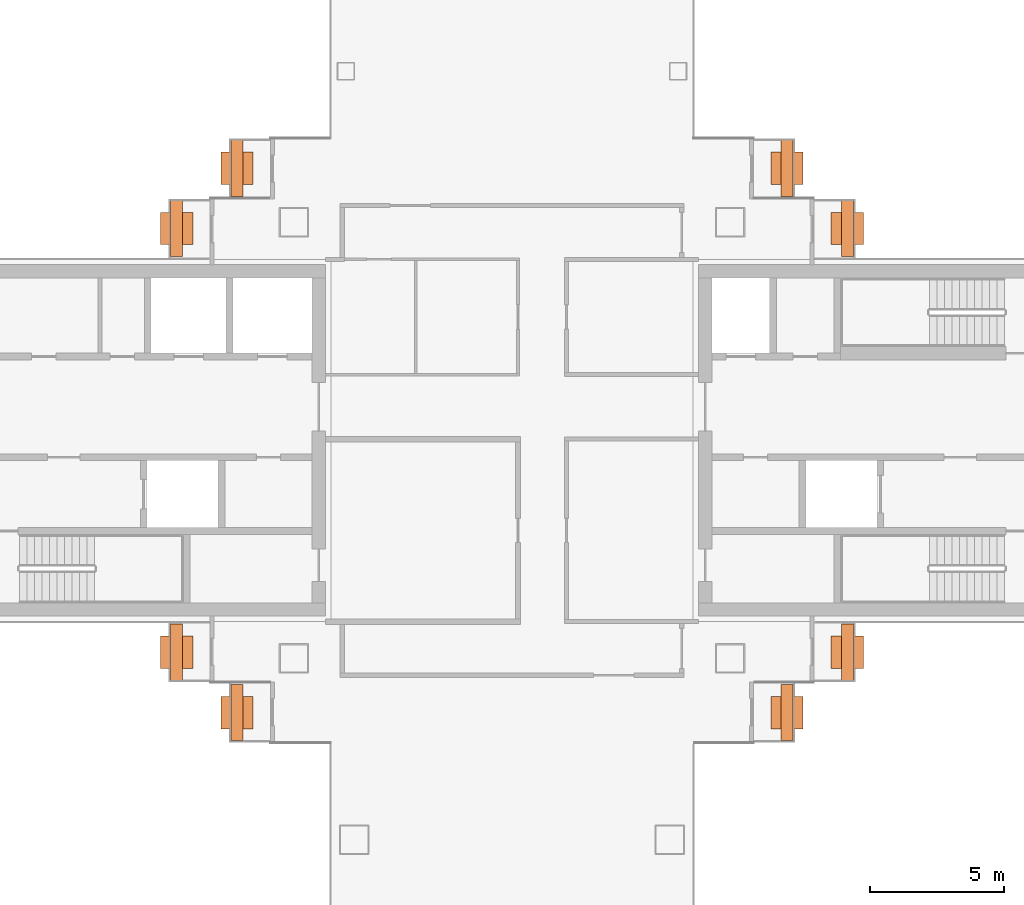
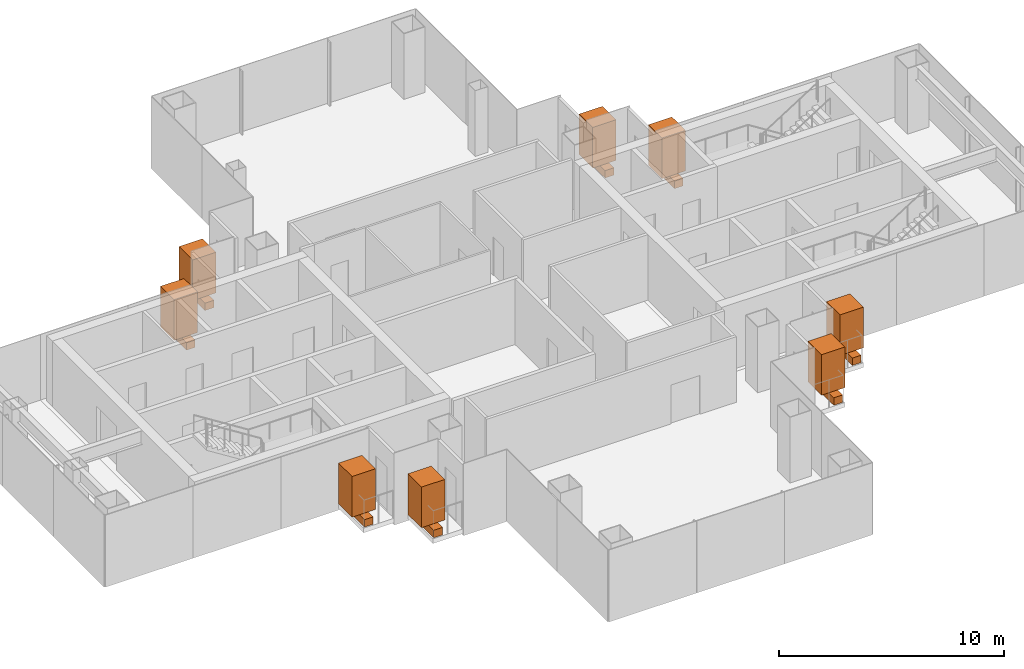
# One storey, part 16 of 16: 8 geographic elements, 8 proxies.
"""IFC4 building model written with IfcOpenShell, lengths in metres."""

from ifc_helpers import new_model, si_unit, direction, frame, origin, origin_2d, place, context, subcontext, project, spatial, rectangle, extrude, material, type_object, element, save


model = new_model("IFC4")

# Units and contexts
model_context = context("Model", 3, precision=1e-05, world=origin(), true_north=direction((0.0, 1.0)))
body_context = subcontext(model_context, "Body", "Model", "MODEL_VIEW")
ifc_project = project(units=[si_unit("LENGTHUNIT", "METRE"), si_unit("AREAUNIT", "SQUARE_METRE"), si_unit("VOLUMEUNIT", "CUBIC_METRE"), si_unit("PLANEANGLEUNIT", "RADIAN"), si_unit("MASSUNIT", "GRAM", prefix="KILO")], contexts=[model_context])

# Site, building, storey
site_placement = place(None, origin())
site = spatial("IfcSite", under=ifc_project, at=site_placement, CompositionType="ELEMENT")
building_placement = place(site_placement, origin())
building = spatial("IfcBuilding", under=site, at=building_placement, Name="Shamsa Quay Exchange Towers", CompositionType="ELEMENT")
storey_placement = place(building_placement, frame((0.0, 0.0, 138.89990234375)))
storey = spatial("IfcBuildingStorey", under=building, at=storey_placement, Name="L32", CompositionType="ELEMENT", Elevation=138.89990234375)

# Proxies
ifc_material_1 = material(Name="Reinforced concrete C30/37, black glass-fibre faced", Category="concrete")
building_element_proxy_type = type_object("IfcBuildingElementProxyType", Name="BALCONY PLANTER", PredefinedType="USERDEFINED", material=ifc_material_1)
for number, where, z_axis, x_axis, name in (
    (1, (23.5048828125, 10.14404296875, 0.000244140625), (0.0, 0.0, 1.0), (0.0, -1.0, 0.0), "PLANTER T2-PKEN L32"),
    (2, (21.2548828125, 7.89404296875, 0.000244140625), (0.0, 0.0, 1.0), (0.0, -1.0, 0.0), "PLANTER T2-PKEN L32"),
    (3, (43.9951171875, 10.14404296875, 0.000244140625), (0.0, 0.0, 1.0), (0.0, 1.0, 0.0), "PLANTER T2-PKES L32"),
    (4, (46.2451171875, 7.89404296875, 0.000244140625), (0.0, 0.0, 1.0), (0.0, 1.0, 0.0), "PLANTER T2-PKES L32"),
    (5, (21.2548828125, -7.89404296875, 0.000244140625), (0.0, 0.0, 1.0), (0.0, -1.0, 0.0), "PLANTER T2-PKWN L32"),
    (6, (23.5048828125, -10.14404296875, 0.000244140625), (0.0, 0.0, 1.0), (0.0, -1.0, 0.0), "PLANTER T2-PKWN L32"),
    (7, (43.9951171875, -10.14404296875, 0.000244140625), (0.0, 0.0, 1.0), (0.0, 1.0, 0.0), "PLANTER T2-PKWS L32"),
    (8, (46.2451171875, -7.89404296875, 0.000244140625), (0.0, 0.0, 1.0), (0.0, 1.0, 0.0), "PLANTER T2-PKWS L32"),
):
    element("IfcBuildingElementProxy", number, at=place(storey_placement, frame(where, z_axis=z_axis, x_axis=x_axis)), inside=storey, type_object=building_element_proxy_type, Name=name, ObjectType="PLANTER", PredefinedType="USERDEFINED", context=body_context, shape_type="SweptSolid", body=[
        extrude(rectangle(XDim=2.092041015625, YDim=0.449951171875, at=origin_2d()), origin(), (0.0, 0.0, 1.0), 0.39990234375),
    ])

# Geographic elements
ifc_material_2 = material(Name="Planting")
geographic_element_type = type_object("IfcGeographicElementType", Name="BALCONY TREE", PredefinedType="USERDEFINED", material=ifc_material_2)
for number, where, z_axis, x_axis, name in (
    (9, (23.5048828125, 10.14404296875, 0.39990234375), (0.0, 0.0, 1.0), (0.0, -1.0, 0.0), "TREE T2-PKEN L32"),
    (10, (21.2548828125, 7.89404296875, 0.39990234375), (0.0, 0.0, 1.0), (0.0, -1.0, 0.0), "TREE T2-PKEN L32"),
    (11, (43.9951171875, 10.14404296875, 0.39990234375), (0.0, 0.0, 1.0), (0.0, 1.0, 0.0), "TREE T2-PKES L32"),
    (12, (46.2451171875, 7.89404296875, 0.39990234375), (0.0, 0.0, 1.0), (0.0, 1.0, 0.0), "TREE T2-PKES L32"),
    (13, (21.2548828125, -7.89404296875, 0.39990234375), (0.0, 0.0, 1.0), (0.0, -1.0, 0.0), "TREE T2-PKWN L32"),
    (14, (23.5048828125, -10.14404296875, 0.39990234375), (0.0, 0.0, 1.0), (0.0, -1.0, 0.0), "TREE T2-PKWN L32"),
    (15, (43.9951171875, -10.14404296875, 0.39990234375), (0.0, 0.0, 1.0), (0.0, 1.0, 0.0), "TREE T2-PKWS L32"),
    (16, (46.2451171875, -7.89404296875, 0.39990234375), (0.0, 0.0, 1.0), (0.0, 1.0, 0.0), "TREE T2-PKWS L32"),
):
    element("IfcGeographicElement", number, at=place(storey_placement, frame(where, z_axis=z_axis, x_axis=x_axis)), inside=storey, type_object=geographic_element_type, Name=name, ObjectType="TREE", PredefinedType="USERDEFINED", context=body_context, shape_type="SweptSolid", body=[
        extrude(rectangle(XDim=1.199951171875, YDim=1.199951171875, at=origin_2d()), origin(), (0.0, 0.0, 1.0), 2.199951171875),
    ])

save(model, "model.ifc")
